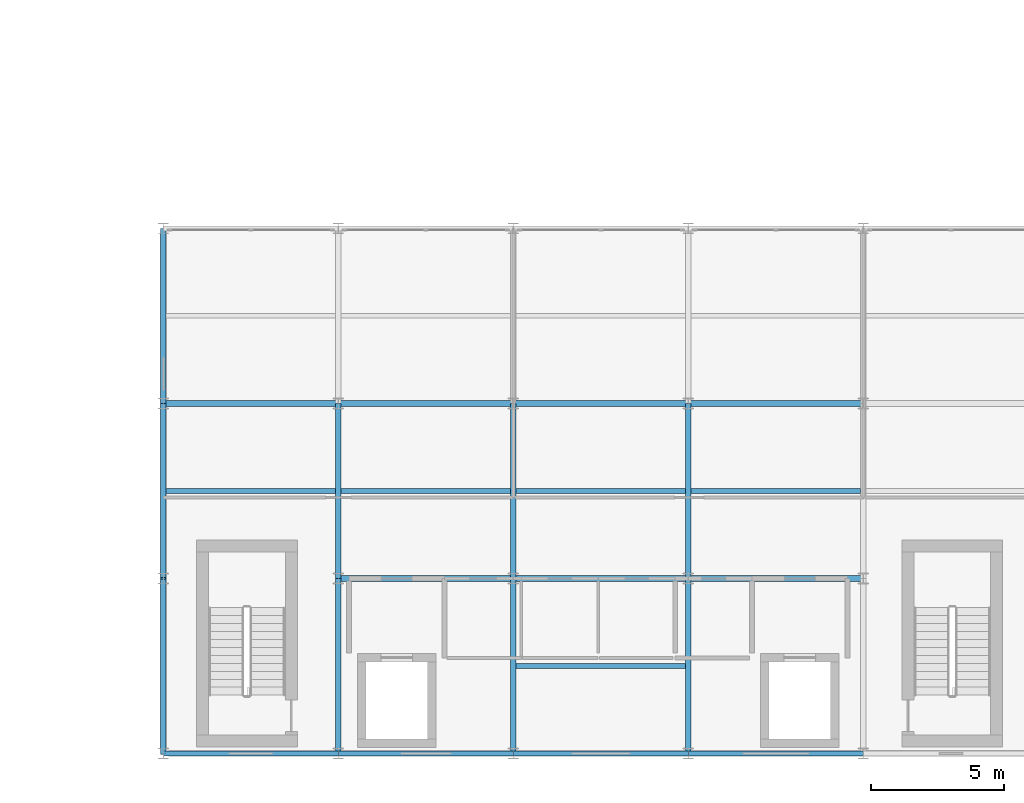
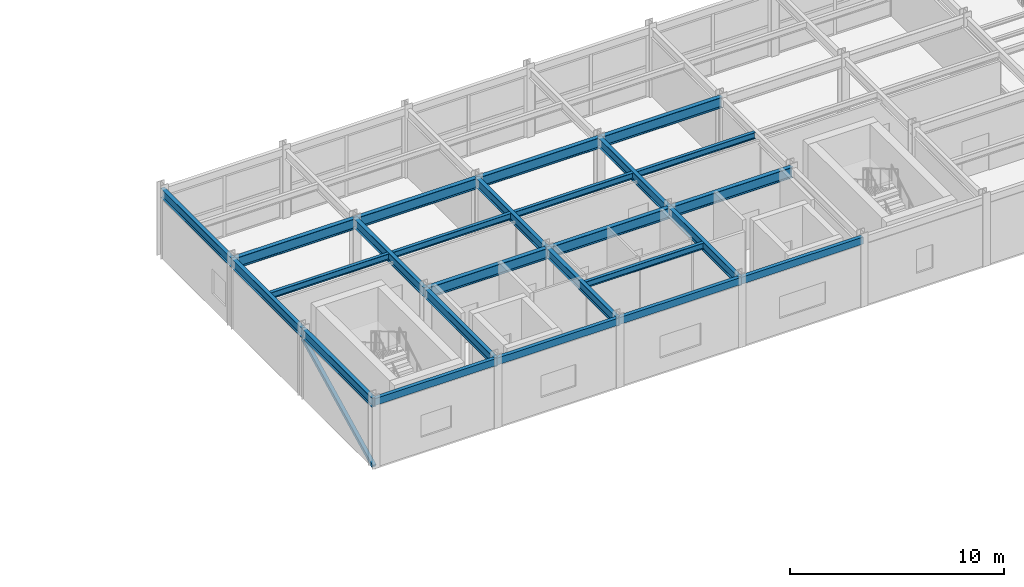
# One storey, part 64 of 157: 25 beams, 1 member.
"""IFC4 building model written with IfcOpenShell, lengths in metres."""

from ifc_helpers import new_model, si_unit, direction, frame, origin, origin_2d, place, context, subcontext, project, spatial, hollow_rectangle, i_section, extrude, material, material_profile, profile_set, type_object, element, save


model = new_model("IFC4")

# Units and contexts
model_context = context("Model", 3, precision=1e-05, world=origin(), true_north=direction((0.0, 1.0)))
body_context = subcontext(model_context, "Body", "Model", "MODEL_VIEW")
ifc_project = project(units=[si_unit("LENGTHUNIT", "METRE"), si_unit("AREAUNIT", "SQUARE_METRE"), si_unit("VOLUMEUNIT", "CUBIC_METRE"), si_unit("PLANEANGLEUNIT", "RADIAN"), si_unit("MASSUNIT", "GRAM", prefix="KILO")], contexts=[model_context])

# Site, building, storey
site_placement = place(None, origin())
site = spatial("IfcSite", under=ifc_project, at=site_placement, CompositionType="ELEMENT")
building_placement = place(site_placement, origin())
building = spatial("IfcBuilding", under=site, at=building_placement, Name="Karori Crest Natural Sciences Institute", CompositionType="ELEMENT")
storey_placement = place(building_placement, frame((0.0, 0.0, 13.300048828125)))
storey = spatial("IfcBuildingStorey", under=building, at=storey_placement, Name="L03", CompositionType="ELEMENT", Elevation=13.300048828125)

# Beams
ifc_material_1 = material(Name="Structural steel AS/NZS 3679.1 Grade 350", Category="steel")
ifc_material_profile_1 = material_profile(ifc_material_1, i_section(OverallWidth=0.22900390625, OverallDepth=0.612060546875, WebThickness=0.011962890625, FlangeThickness=0.01953125, FilletRadius=0.013916015625, at=origin_2d()), Name="610UB125")
ifc_profile_set_1 = profile_set([ifc_material_profile_1], Name="Structural steel AS/NZS 3679.1 Grade 350")
beam_type_1 = type_object("IfcBeamType", Name="BT-04", PredefinedType="BEAM", material=ifc_profile_set_1)
beam_1_placement = place(storey_placement, frame((110.199951171875, 7.39990234375, 3.614013671875), z_axis=(1.0, 0.0, 0.0), x_axis=(0.0, 1.0, 0.0)))
element("IfcBeam", 1, at=beam_1_placement, inside=storey, type_object=beam_type_1, Name="Beam B-2291", PredefinedType="BEAM", context=body_context, shape_type="SweptSolid", body=[
    extrude(i_section(OverallWidth=0.22900390625, OverallDepth=0.612060546875, WebThickness=0.011962890625, FlangeThickness=0.01953125, FilletRadius=0.013916015625, at=origin_2d()), origin(), (0.0, 0.0, 1.0), 6.60009765625),
])
beam_2_placement = place(storey_placement, frame((116.800048828125, 7.39990234375, 3.614013671875), z_axis=(1.0, 0.0, 0.0), x_axis=(0.0, 1.0, 0.0)))
element("IfcBeam", 2, at=beam_2_placement, inside=storey, type_object=beam_type_1, Name="Beam B-2292", PredefinedType="BEAM", context=body_context, shape_type="SweptSolid", body=[
    extrude(i_section(OverallWidth=0.22900390625, OverallDepth=0.612060546875, WebThickness=0.011962890625, FlangeThickness=0.01953125, FilletRadius=0.013916015625, at=origin_2d()), origin(), (0.0, 0.0, 1.0), 6.599853515625),
])
beam_3_placement = place(storey_placement, frame((123.39990234375, 7.39990234375, 3.614013671875), z_axis=(1.0, 0.0, 0.0), x_axis=(0.0, 1.0, 0.0)))
element("IfcBeam", 3, at=beam_3_placement, inside=storey, type_object=beam_type_1, Name="Beam B-2293", PredefinedType="BEAM", context=body_context, shape_type="SweptSolid", body=[
    extrude(i_section(OverallWidth=0.22900390625, OverallDepth=0.612060546875, WebThickness=0.011962890625, FlangeThickness=0.01953125, FilletRadius=0.013916015625, at=origin_2d()), origin(), (0.0, 0.0, 1.0), 6.60009765625),
])
beam_4_placement = place(storey_placement, frame((103.60009765625, 14.0, 3.614013671875), z_axis=(1.0, 0.0, 0.0), x_axis=(0.0, 1.0, 0.0)))
element("IfcBeam", 4, at=beam_4_placement, inside=storey, type_object=beam_type_1, Name="Beam B-2298", PredefinedType="BEAM", context=body_context, shape_type="SweptSolid", body=[
    extrude(i_section(OverallWidth=0.22900390625, OverallDepth=0.612060546875, WebThickness=0.011962890625, FlangeThickness=0.01953125, FilletRadius=0.013916015625, at=origin_2d()), origin(), (0.0, 0.0, 1.0), 6.599853515625),
])
beam_5_placement = place(storey_placement, frame((110.199951171875, 14.0, 3.614013671875), z_axis=(1.0, 0.0, 0.0), x_axis=(0.0, 1.0, 0.0)))
element("IfcBeam", 5, at=beam_5_placement, inside=storey, type_object=beam_type_1, Name="Beam B-2299", PredefinedType="BEAM", context=body_context, shape_type="SweptSolid", body=[
    extrude(i_section(OverallWidth=0.22900390625, OverallDepth=0.612060546875, WebThickness=0.011962890625, FlangeThickness=0.01953125, FilletRadius=0.013916015625, at=origin_2d()), origin(), (0.0, 0.0, 1.0), 6.60009765625),
])
beam_6_placement = place(storey_placement, frame((116.800048828125, 14.0, 3.614013671875), z_axis=(1.0, 0.0, 0.0), x_axis=(0.0, 1.0, 0.0)))
element("IfcBeam", 6, at=beam_6_placement, inside=storey, type_object=beam_type_1, Name="Beam B-2300", PredefinedType="BEAM", context=body_context, shape_type="SweptSolid", body=[
    extrude(i_section(OverallWidth=0.22900390625, OverallDepth=0.612060546875, WebThickness=0.011962890625, FlangeThickness=0.01953125, FilletRadius=0.013916015625, at=origin_2d()), origin(), (0.0, 0.0, 1.0), 6.599853515625),
])
beam_7_placement = place(storey_placement, frame((123.39990234375, 14.0, 3.614013671875), z_axis=(1.0, 0.0, 0.0), x_axis=(0.0, 1.0, 0.0)))
element("IfcBeam", 7, at=beam_7_placement, inside=storey, type_object=beam_type_1, Name="Beam B-2301", PredefinedType="BEAM", context=body_context, shape_type="SweptSolid", body=[
    extrude(i_section(OverallWidth=0.22900390625, OverallDepth=0.612060546875, WebThickness=0.011962890625, FlangeThickness=0.01953125, FilletRadius=0.013916015625, at=origin_2d()), origin(), (0.0, 0.0, 1.0), 6.60009765625),
])
ifc_material_profile_2 = material_profile(ifc_material_1, i_section(OverallWidth=0.208984375, OverallDepth=0.532958984375, WebThickness=0.01025390625, FlangeThickness=0.015625, FilletRadius=0.013916015625, at=origin_2d()), Name="530UB92.4")
ifc_profile_set_2 = profile_set([ifc_material_profile_2], Name="Structural steel AS/NZS 3679.1 Grade 350")
beam_type_2 = type_object("IfcBeamType", Name="BT-05", PredefinedType="BEAM", material=ifc_profile_set_2)
beam_8_placement = place(storey_placement, frame((110.199951171875, 0.800048828125, 3.653564453125), z_axis=(0.0, 1.0, 0.0), x_axis=(-1.0, 0.0, 0.0)))
element("IfcBeam", 8, at=beam_8_placement, inside=storey, type_object=beam_type_2, Name="Beam B-2318", PredefinedType="BEAM", context=body_context, shape_type="SweptSolid", body=[
    extrude(i_section(OverallWidth=0.208984375, OverallDepth=0.532958984375, WebThickness=0.01025390625, FlangeThickness=0.015625, FilletRadius=0.013916015625, at=origin_2d()), origin(), (0.0, 0.0, 1.0), 6.599853515625),
])
beam_9_placement = place(storey_placement, frame((110.199951171875, 7.39990234375, 3.653564453125), z_axis=(0.0, 1.0, 0.0), x_axis=(-1.0, 0.0, 0.0)))
element("IfcBeam", 9, at=beam_9_placement, inside=storey, type_object=beam_type_2, Name="Beam B-2319", PredefinedType="BEAM", context=body_context, shape_type="SweptSolid", body=[
    extrude(i_section(OverallWidth=0.208984375, OverallDepth=0.532958984375, WebThickness=0.01025390625, FlangeThickness=0.015625, FilletRadius=0.013916015625, at=origin_2d()), origin(), (0.0, 0.0, 1.0), 6.60009765625),
])
beam_10_placement = place(storey_placement, frame((116.800048828125, 0.800048828125, 3.653564453125), z_axis=(0.0, 1.0, 0.0), x_axis=(-1.0, 0.0, 0.0)))
element("IfcBeam", 10, at=beam_10_placement, inside=storey, type_object=beam_type_2, Name="Beam B-2321", PredefinedType="BEAM", context=body_context, shape_type="SweptSolid", body=[
    extrude(i_section(OverallWidth=0.208984375, OverallDepth=0.532958984375, WebThickness=0.01025390625, FlangeThickness=0.015625, FilletRadius=0.013916015625, at=origin_2d()), origin(), (0.0, 0.0, 1.0), 6.599853515625),
])
beam_11_placement = place(storey_placement, frame((116.800048828125, 7.39990234375, 3.653564453125), z_axis=(0.0, 1.0, 0.0), x_axis=(-1.0, 0.0, 0.0)))
element("IfcBeam", 11, at=beam_11_placement, inside=storey, type_object=beam_type_2, Name="Beam B-2322", PredefinedType="BEAM", context=body_context, shape_type="SweptSolid", body=[
    extrude(i_section(OverallWidth=0.208984375, OverallDepth=0.532958984375, WebThickness=0.01025390625, FlangeThickness=0.015625, FilletRadius=0.013916015625, at=origin_2d()), origin(), (0.0, 0.0, 1.0), 6.60009765625),
])
beam_12_placement = place(storey_placement, frame((123.39990234375, 0.800048828125, 3.653564453125), z_axis=(0.0, 1.0, 0.0), x_axis=(-1.0, 0.0, 0.0)))
element("IfcBeam", 12, at=beam_12_placement, inside=storey, type_object=beam_type_2, Name="Beam B-2324", PredefinedType="BEAM", context=body_context, shape_type="SweptSolid", body=[
    extrude(i_section(OverallWidth=0.208984375, OverallDepth=0.532958984375, WebThickness=0.01025390625, FlangeThickness=0.015625, FilletRadius=0.013916015625, at=origin_2d()), origin(), (0.0, 0.0, 1.0), 6.599853515625),
])
beam_13_placement = place(storey_placement, frame((123.39990234375, 7.39990234375, 3.653564453125), z_axis=(0.0, 1.0, 0.0), x_axis=(-1.0, 0.0, 0.0)))
element("IfcBeam", 13, at=beam_13_placement, inside=storey, type_object=beam_type_2, Name="Beam B-2325", PredefinedType="BEAM", context=body_context, shape_type="SweptSolid", body=[
    extrude(i_section(OverallWidth=0.208984375, OverallDepth=0.532958984375, WebThickness=0.01025390625, FlangeThickness=0.015625, FilletRadius=0.013916015625, at=origin_2d()), origin(), (0.0, 0.0, 1.0), 6.60009765625),
])
ifc_material_profile_3 = material_profile(ifc_material_1, i_section(OverallWidth=0.208984375, OverallDepth=0.532958984375, WebThickness=0.01025390625, FlangeThickness=0.015625, FilletRadius=0.013916015625, at=origin_2d()), Name="530UB92.4")
ifc_profile_set_3 = profile_set([ifc_material_profile_3], Name="Structural steel AS/NZS 3679.1 Grade 350")
beam_type_3 = type_object("IfcBeamType", Name="BT-05-EL", PredefinedType="BEAM", material=ifc_profile_set_3)
beam_14_placement = place(storey_placement, frame((103.60009765625, 0.800048828125, 3.653564453125), z_axis=(0.0, 1.0, 0.0), x_axis=(-1.0, 0.0, 0.0)))
element("IfcBeam", 14, at=beam_14_placement, inside=storey, type_object=beam_type_3, Name="Beam B-2315", PredefinedType="BEAM", context=body_context, shape_type="SweptSolid", body=[
    extrude(i_section(OverallWidth=0.208984375, OverallDepth=0.532958984375, WebThickness=0.01025390625, FlangeThickness=0.015625, FilletRadius=0.013916015625, at=origin_2d()), origin(), (0.0, 0.0, 1.0), 6.599853515625),
])
for number, where, z_axis, x_axis, name in (
    (15, (103.60009765625, 7.39990234375, 3.653564453125), (0.0, 1.0, 0.0), (-1.0, 0.0, 0.0), "Beam B-2316"),
    (16, (103.60009765625, 14.0, 3.653564453125), (0.0, 1.0, 0.0), (-1.0, 0.0, 0.0), "Beam B-2317"),
):
    element("IfcBeam", number, at=place(storey_placement, frame(where, z_axis=z_axis, x_axis=x_axis)), inside=storey, type_object=beam_type_3, Name=name, PredefinedType="BEAM", context=body_context, shape_type="SweptSolid", body=[
        extrude(i_section(OverallWidth=0.208984375, OverallDepth=0.532958984375, WebThickness=0.01025390625, FlangeThickness=0.015625, FilletRadius=0.013916015625, at=origin_2d()), origin(), (0.0, 0.0, 1.0), 6.60009765625),
    ])
ifc_material_profile_4 = material_profile(ifc_material_1, i_section(OverallWidth=0.172119140625, OverallDepth=0.35888671875, WebThickness=0.008056640625, FlangeThickness=0.012939453125, FilletRadius=0.010986328125, at=origin_2d()), Name="360UB56.7")
ifc_profile_set_4 = profile_set([ifc_material_profile_4], Name="Structural steel AS/NZS 3679.1 Grade 350")
beam_type_4 = type_object("IfcBeamType", Name="BT-08", PredefinedType="BEAM", material=ifc_profile_set_4)
beam_15_placement = place(storey_placement, frame((103.70458984375, 10.699951171875, 3.740478515625), z_axis=(1.0, 0.0, 0.0), x_axis=(0.0, 1.0, 0.0)))
element("IfcBeam", 17, at=beam_15_placement, inside=storey, type_object=beam_type_4, Name="Beam B-2345", PredefinedType="BEAM", context=body_context, shape_type="SweptSolid", body=[
    extrude(i_section(OverallWidth=0.172119140625, OverallDepth=0.35888671875, WebThickness=0.008056640625, FlangeThickness=0.012939453125, FilletRadius=0.010986328125, at=origin_2d()), origin(), (0.0, 0.0, 1.0), 6.390869140625),
])
beam_16_placement = place(storey_placement, frame((110.304443359375, 10.699951171875, 3.740478515625), z_axis=(1.0, 0.0, 0.0), x_axis=(0.0, 1.0, 0.0)))
element("IfcBeam", 18, at=beam_16_placement, inside=storey, type_object=beam_type_4, Name="Beam B-2347", PredefinedType="BEAM", context=body_context, shape_type="SweptSolid", body=[
    extrude(i_section(OverallWidth=0.172119140625, OverallDepth=0.35888671875, WebThickness=0.008056640625, FlangeThickness=0.012939453125, FilletRadius=0.010986328125, at=origin_2d()), origin(), (0.0, 0.0, 1.0), 6.39111328125),
])
for number, where, z_axis, x_axis, name in (
    (19, (116.904541015625, 4.10009765625, 3.740478515625), (1.0, 0.0, 0.0), (0.0, 1.0, 0.0), "Beam B-2349"),
    (20, (116.904541015625, 10.699951171875, 3.740478515625), (1.0, 0.0, 0.0), (0.0, 1.0, 0.0), "Beam B-2350"),
):
    element("IfcBeam", number, at=place(storey_placement, frame(where, z_axis=z_axis, x_axis=x_axis)), inside=storey, type_object=beam_type_4, Name=name, PredefinedType="BEAM", context=body_context, shape_type="SweptSolid", body=[
        extrude(i_section(OverallWidth=0.172119140625, OverallDepth=0.35888671875, WebThickness=0.008056640625, FlangeThickness=0.012939453125, FilletRadius=0.010986328125, at=origin_2d()), origin(), (0.0, 0.0, 1.0), 6.390869140625),
    ])
beam_17_placement = place(storey_placement, frame((123.50439453125, 10.699951171875, 3.740478515625), z_axis=(1.0, 0.0, 0.0), x_axis=(0.0, 1.0, 0.0)))
element("IfcBeam", 21, at=beam_17_placement, inside=storey, type_object=beam_type_4, Name="Beam B-2352", PredefinedType="BEAM", context=body_context, shape_type="SweptSolid", body=[
    extrude(i_section(OverallWidth=0.172119140625, OverallDepth=0.35888671875, WebThickness=0.008056640625, FlangeThickness=0.012939453125, FilletRadius=0.010986328125, at=origin_2d()), origin(), (0.0, 0.0, 1.0), 6.39111328125),
])
ifc_material_2 = material(Name="Hollow structural steel AS/NZS 1163 Grade C350", Category="steel")
ifc_material_profile_5 = material_profile(ifc_material_2, hollow_rectangle(XDim=0.199951171875, YDim=0.39990234375, WallThickness=0.012451171875, at=origin_2d()), Name="RHS400x200x12.5")
ifc_profile_set_5 = profile_set([ifc_material_profile_5], Name="Hollow structural steel AS/NZS 1163 Grade C350")
beam_type_5 = type_object("IfcBeamType", Name="BT-14", PredefinedType="SPANDREL", material=ifc_profile_set_5)
beam_18_placement = place(storey_placement, frame((103.60009765625, 0.800048828125, 3.719970703125), z_axis=(1.0, 0.0, 0.0), x_axis=(0.0, 1.0, 0.0)))
element("IfcBeam", 22, at=beam_18_placement, inside=storey, type_object=beam_type_5, Name="Beam B-2282", PredefinedType="SPANDREL", context=body_context, shape_type="SweptSolid", body=[
    extrude(hollow_rectangle(XDim=0.199951171875, YDim=0.39990234375, WallThickness=0.012451171875, at=origin_2d()), origin(), (0.0, 0.0, 1.0), 6.599853515625),
])
beam_19_placement = place(storey_placement, frame((110.199951171875, 0.800048828125, 3.719970703125), z_axis=(1.0, 0.0, 0.0), x_axis=(0.0, 1.0, 0.0)))
element("IfcBeam", 23, at=beam_19_placement, inside=storey, type_object=beam_type_5, Name="Beam B-2283", PredefinedType="SPANDREL", context=body_context, shape_type="SweptSolid", body=[
    extrude(hollow_rectangle(XDim=0.199951171875, YDim=0.39990234375, WallThickness=0.012451171875, at=origin_2d()), origin(), (0.0, 0.0, 1.0), 6.60009765625),
])
beam_20_placement = place(storey_placement, frame((116.800048828125, 0.800048828125, 3.719970703125), z_axis=(1.0, 0.0, 0.0), x_axis=(0.0, 1.0, 0.0)))
element("IfcBeam", 24, at=beam_20_placement, inside=storey, type_object=beam_type_5, Name="Beam B-2284", PredefinedType="SPANDREL", context=body_context, shape_type="SweptSolid", body=[
    extrude(hollow_rectangle(XDim=0.199951171875, YDim=0.39990234375, WallThickness=0.012451171875, at=origin_2d()), origin(), (0.0, 0.0, 1.0), 6.599853515625),
])
beam_21_placement = place(storey_placement, frame((123.39990234375, 0.800048828125, 3.719970703125), z_axis=(1.0, 0.0, 0.0), x_axis=(0.0, 1.0, 0.0)))
element("IfcBeam", 25, at=beam_21_placement, inside=storey, type_object=beam_type_5, Name="Beam B-2285", PredefinedType="SPANDREL", context=body_context, shape_type="SweptSolid", body=[
    extrude(hollow_rectangle(XDim=0.199951171875, YDim=0.39990234375, WallThickness=0.012451171875, at=origin_2d()), origin(), (0.0, 0.0, 1.0), 6.60009765625),
])

# Member
ifc_material_profile_6 = material_profile(ifc_material_2, hollow_rectangle(XDim=0.199951171875, YDim=0.199951171875, WallThickness=0.010009765625, at=origin_2d()), Name="SHS200x200x10")
ifc_profile_set_6 = profile_set([ifc_material_profile_6], Name="Hollow structural steel AS/NZS 1163 Grade C350")
member_type = type_object("IfcMemberType", Name="MT-04", PredefinedType="BRACE", material=ifc_profile_set_6)
member_placement = place(storey_placement, frame((103.60009765625, 0.800048828125, 0.010009765625), z_axis=(0.0, 0.893996860232, 0.448073223811), x_axis=(-1.0, 0.0, 0.0)))
element("IfcMember", 26, at=member_placement, inside=storey, type_object=member_type, Name="Diagonal Brace M-0445", PredefinedType="BRACE", context=body_context, shape_type="SweptSolid", body=[
    extrude(hollow_rectangle(XDim=0.199951171875, YDim=0.199951171875, WallThickness=0.010009765625, at=origin_2d()), origin(), (0.0, 0.0, 1.0), 7.38232421875),
])

save(model, "model.ifc")
